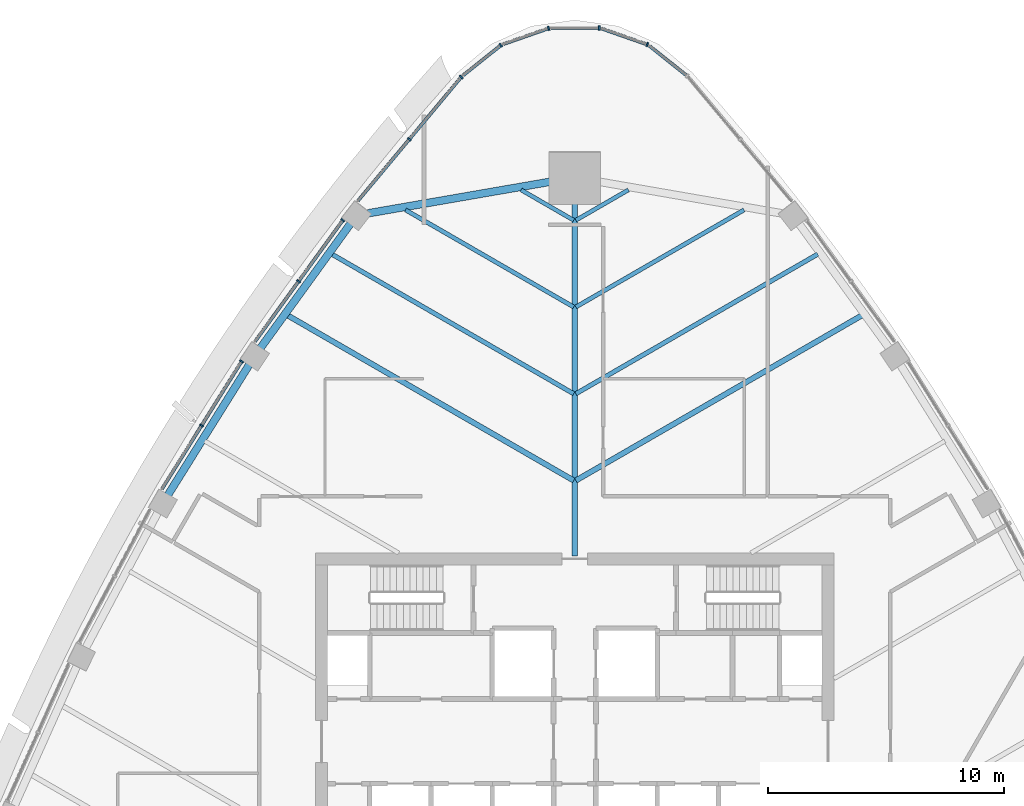
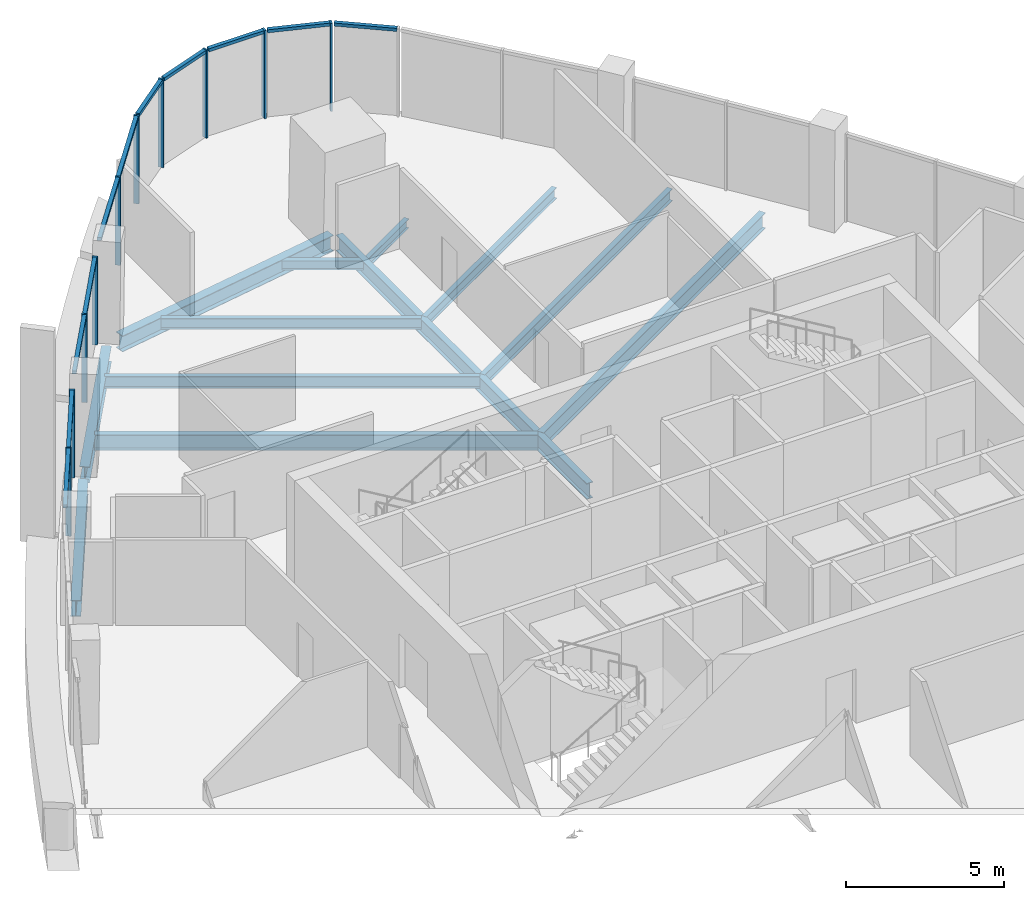
# One storey, part 5 of 18: 21 members, 12 beams, 8 elements without a shape of their own.
"""IFC4 building model written with IfcOpenShell, lengths in metres."""

from ifc_helpers import new_model, si_unit, direction, frame, origin, origin_2d, place, context, subcontext, project, spatial, rectangle, i_section, extrude, material, layer, layer_set, material_profile, profile_set, type_object, element, aggregate, save


model = new_model("IFC4")

# Units and contexts
model_context = context("Model", 3, precision=1e-05, world=origin(), true_north=direction((0.0, 1.0)))
body_context = subcontext(model_context, "Body", "Model", "MODEL_VIEW")
ifc_project = project(units=[si_unit("LENGTHUNIT", "METRE"), si_unit("AREAUNIT", "SQUARE_METRE"), si_unit("VOLUMEUNIT", "CUBIC_METRE"), si_unit("PLANEANGLEUNIT", "RADIAN"), si_unit("MASSUNIT", "GRAM", prefix="KILO")], contexts=[model_context])

# Site, building, storey
site_placement = place(None, origin())
site = spatial("IfcSite", under=ifc_project, at=site_placement, CompositionType="ELEMENT")
building_placement = place(site_placement, origin())
building = spatial("IfcBuilding", under=site, at=building_placement, Name="Sierra Prisma Convention Tower", CompositionType="ELEMENT")
storey_placement = place(building_placement, frame((0.0, 0.0, 287.0)))
storey = spatial("IfcBuildingStorey", under=building, at=storey_placement, Name="L65", CompositionType="ELEMENT", Elevation=287.0)

# Curtain wall, member
ifc_material_1 = material(Name="Aluminium and glass curtain wall", Category="aluminium")
ifc_layer = layer(ifc_material_1, 0.179931640625)
ifc_layer_set = layer_set([ifc_layer], Name="CW-1 Plain shaft curtain wall")
curtain_wall_type = type_object("IfcCurtainWallType", Name="CW-1 Plain shaft curtain wall", PredefinedType="NOTDEFINED", material=ifc_layer_set)
curtain_wall_1_placement = place(storey_placement, origin())
curtain_wall_1 = element("IfcCurtainWall", 1, at=curtain_wall_1_placement, inside=storey, type_object=curtain_wall_type, Name="CW-1 N2 L65", PredefinedType="NOTDEFINED")
ifc_material_2 = material(Name="Aluminium 6063-T6 bronze anodised", Category="aluminium")
ifc_material_profile_1 = material_profile(ifc_material_2, rectangle(XDim=0.179931640625, YDim=0.070068359375, at=origin_2d()), Name="ALU MULLION 70x180")
ifc_profile_set_1 = profile_set([ifc_material_profile_1], Name="Aluminium 6063-T6 bronze anodised")
member_type_1 = type_object("IfcMemberType", Name="CW mullion bronze", PredefinedType="MULLION", material=ifc_profile_set_1)
member_1_placement = place(storey_placement, frame((3.077880859375, 29.586181640625, 0.0), z_axis=(0.0, 0.0, 1.0), x_axis=(-0.330031707067, -0.943969847151, 0.0)))
member_1 = element("IfcMember", 2, at=member_1_placement, type_object=member_type_1, Name="CW-1 mullion N2.1", PredefinedType="MULLION", context=body_context, shape_type="SweptSolid", body=[
    extrude(rectangle(XDim=0.179931640625, YDim=0.070068359375, at=origin_2d()), origin(), (0.0, 0.0, 1.0), 3.39990234375),
])

curtain_wall_2_placement = place(storey_placement, origin())
curtain_wall_2 = element("IfcCurtainWall", 3, at=curtain_wall_2_placement, inside=storey, type_object=curtain_wall_type, Name="CW-1 N3 L65", PredefinedType="NOTDEFINED")
member_2_placement = place(storey_placement, frame((1.042236328125, 30.28564453125, 0.0), z_axis=(0.0, 0.0, 1.0), x_axis=(0.0, -1.0, 0.0)))
member_2 = element("IfcMember", 4, at=member_2_placement, type_object=member_type_1, Name="CW-1 mullion N3.1", PredefinedType="MULLION", context=body_context, shape_type="SweptSolid", body=[
    extrude(rectangle(XDim=0.179931640625, YDim=0.070068359375, at=origin_2d()), origin(), (0.0, 0.0, 1.0), 3.39990234375),
])

curtain_wall_3_placement = place(storey_placement, origin())
curtain_wall_3 = element("IfcCurtainWall", 5, at=curtain_wall_3_placement, inside=storey, type_object=curtain_wall_type, Name="CW-1 N4 L65", PredefinedType="NOTDEFINED")
member_3_placement = place(storey_placement, frame((-1.1103515625, 30.27392578125, 0.0), z_axis=(0.0, 0.0, 1.0), x_axis=(0.330031707067, -0.943969847151, 0.0)))
member_3 = element("IfcMember", 6, at=member_3_placement, type_object=member_type_1, Name="CW-1 mullion N4.1", PredefinedType="MULLION", context=body_context, shape_type="SweptSolid", body=[
    extrude(rectangle(XDim=0.179931640625, YDim=0.070068359375, at=origin_2d()), origin(), (0.0, 0.0, 1.0), 3.39990234375),
])

curtain_wall_4_placement = place(storey_placement, origin())
curtain_wall_4 = element("IfcCurtainWall", 7, at=curtain_wall_4_placement, inside=storey, type_object=curtain_wall_type, Name="CW-1 N5 L65", PredefinedType="NOTDEFINED")
member_4_placement = place(storey_placement, frame((-3.13818359375, 29.552734375, 0.0), z_axis=(0.0, 0.0, 1.0), x_axis=(0.62307996015, -0.782158144661, 0.0)))
member_4 = element("IfcMember", 8, at=member_4_placement, type_object=member_type_1, Name="CW-1 mullion N5.1", PredefinedType="MULLION", context=body_context, shape_type="SweptSolid", body=[
    extrude(rectangle(XDim=0.179931640625, YDim=0.070068359375, at=origin_2d()), origin(), (0.0, 0.0, 1.0), 3.39990234375),
])

# Curtain wall, members
curtain_wall_5_placement = place(storey_placement, origin())
curtain_wall_5 = element("IfcCurtainWall", 9, at=curtain_wall_5_placement, inside=storey, type_object=curtain_wall_type, Name="CW-1 NW1 L65", PredefinedType="NOTDEFINED")
member_5_placement = place(storey_placement, frame((-4.818359375, 28.205322265625, 0.0), z_axis=(0.0, 0.0, 1.0), x_axis=(0.767694339749, -0.640816198857, 0.0)))
member_5 = element("IfcMember", 10, at=member_5_placement, type_object=member_type_1, Name="CW-1 mullion NW1.1", PredefinedType="MULLION", context=body_context, shape_type="SweptSolid", body=[
    extrude(rectangle(XDim=0.179931640625, YDim=0.070068359375, at=origin_2d()), origin(), (0.0, 0.0, 1.0), 3.39990234375),
])
member_6_placement = place(storey_placement, frame((-7.023193359375, 25.56396484375, 0.0), z_axis=(0.0, 0.0, 1.0), x_axis=(0.767694339749, -0.640816198857, 0.0)))
member_6 = element("IfcMember", 11, at=member_6_placement, type_object=member_type_1, Name="CW-1 mullion NW1.2", PredefinedType="MULLION", context=body_context, shape_type="SweptSolid", body=[
    extrude(rectangle(XDim=0.179931640625, YDim=0.070068359375, at=origin_2d()), origin(), (0.0, 0.0, 1.0), 3.39990234375),
])

curtain_wall_6_placement = place(storey_placement, origin())
curtain_wall_6 = element("IfcCurtainWall", 12, at=curtain_wall_6_placement, inside=storey, type_object=curtain_wall_type, Name="CW-1 NW2 L65", PredefinedType="NOTDEFINED")
member_7_placement = place(storey_placement, frame((-9.84912109375, 22.121826171875, 0.0), z_axis=(0.0, 0.0, 1.0), x_axis=(0.80992265193, -0.586536697821, 0.0)))
member_7 = element("IfcMember", 13, at=member_7_placement, type_object=member_type_1, Name="CW-1 mullion NW2.1", PredefinedType="MULLION", context=body_context, shape_type="SweptSolid", body=[
    extrude(rectangle(XDim=0.179931640625, YDim=0.070068359375, at=origin_2d()), origin(), (0.0, 0.0, 1.0), 3.39990234375),
])
member_8_placement = place(storey_placement, frame((-11.722412109375, 19.534912109375, 0.0), z_axis=(0.0, 0.0, 1.0), x_axis=(0.80992265193, -0.586536697821, 0.0)))
member_8 = element("IfcMember", 14, at=member_8_placement, type_object=member_type_1, Name="CW-1 mullion NW2.2", PredefinedType="MULLION", context=body_context, shape_type="SweptSolid", body=[
    extrude(rectangle(XDim=0.179931640625, YDim=0.070068359375, at=origin_2d()), origin(), (0.0, 0.0, 1.0), 3.39990234375),
])

curtain_wall_7_placement = place(storey_placement, origin())
curtain_wall_7 = element("IfcCurtainWall", 15, at=curtain_wall_7_placement, inside=storey, type_object=curtain_wall_type, Name="CW-1 NW3 L65", PredefinedType="NOTDEFINED")
member_9_placement = place(storey_placement, frame((-14.1435546875, 16.133544921875, 0.0), z_axis=(0.0, 0.0, 1.0), x_axis=(0.848320439317, -0.52948317465, 0.0)))
member_9 = element("IfcMember", 16, at=member_9_placement, type_object=member_type_1, Name="CW-1 mullion NW3.1", PredefinedType="MULLION", context=body_context, shape_type="SweptSolid", body=[
    extrude(rectangle(XDim=0.179931640625, YDim=0.070068359375, at=origin_2d()), origin(), (0.0, 0.0, 1.0), 3.39990234375),
])
member_10_placement = place(storey_placement, frame((-15.843017578125, 13.41064453125, 0.0), z_axis=(0.0, 0.0, 1.0), x_axis=(0.848320439317, -0.52948317465, 0.0)))
member_10 = element("IfcMember", 17, at=member_10_placement, type_object=member_type_1, Name="CW-1 mullion NW3.2", PredefinedType="MULLION", context=body_context, shape_type="SweptSolid", body=[
    extrude(rectangle(XDim=0.179931640625, YDim=0.070068359375, at=origin_2d()), origin(), (0.0, 0.0, 1.0), 3.39990234375),
])

# Curtain wall, member
curtain_wall_8_placement = place(storey_placement, origin())
curtain_wall_8 = element("IfcCurtainWall", 18, at=curtain_wall_8_placement, inside=storey, type_object=curtain_wall_type, Name="CW-1 N1 L65", PredefinedType="NOTDEFINED")
ifc_material_3 = material(Name="Aluminium 6063-T6 bronze anodised", Category="aluminium")
ifc_material_profile_2 = material_profile(ifc_material_3, rectangle(XDim=0.139892578125, YDim=0.1201171875, at=origin_2d()), Name="ALU TRANSOM 120x140")
ifc_profile_set_2 = profile_set([ifc_material_profile_2], Name="Aluminium 6063-T6 bronze anodised")
member_type_2 = type_object("IfcMemberType", Name="CW transom bronze", PredefinedType="USERDEFINED", material=ifc_profile_set_2)
member_11_placement = place(storey_placement, frame((4.7412109375, 28.27587890625, 3.340087890625), z_axis=(-0.782179517461, 0.623053129728, 0.0), x_axis=(-0.623053129728, -0.782179517461, 0.0)))
member_11 = element("IfcMember", 19, at=member_11_placement, type_object=member_type_2, Name="CW-1 transom N1.1", ObjectType="TRANSOM", PredefinedType="USERDEFINED", context=body_context, shape_type="SweptSolid", body=[
    extrude(rectangle(XDim=0.139892578125, YDim=0.1201171875, at=origin_2d()), origin(), (0.0, 0.0, 1.0), 2.014404296875),
])
aggregate(curtain_wall_8, [member_11])

# Member
member_12_placement = place(storey_placement, frame((3.044677734375, 29.59765625, 3.340087890625), z_axis=(-0.943964128311, 0.330048063866, 0.0), x_axis=(-0.330048063866, -0.943964128311, 0.0)))
member_12 = element("IfcMember", 20, at=member_12_placement, type_object=member_type_2, Name="CW-1 transom N2.1", ObjectType="TRANSOM", PredefinedType="USERDEFINED", context=body_context, shape_type="SweptSolid", body=[
    extrude(rectangle(XDim=0.139892578125, YDim=0.1201171875, at=origin_2d()), origin(), (0.0, 0.0, 1.0), 2.01416015625),
])

aggregate(curtain_wall_1, [member_1, member_12])

member_13_placement = place(storey_placement, frame((1.007080078125, 30.28564453125, 3.340087890625), z_axis=(-1.0, 0.0, 0.0), x_axis=(0.0, -1.0, 0.0)))
member_13 = element("IfcMember", 21, at=member_13_placement, type_object=member_type_2, Name="CW-1 transom N3.1", ObjectType="TRANSOM", PredefinedType="USERDEFINED", context=body_context, shape_type="SweptSolid", body=[
    extrude(rectangle(XDim=0.139892578125, YDim=0.1201171875, at=origin_2d()), origin(), (0.0, 0.0, 1.0), 2.01416015625),
])

aggregate(curtain_wall_2, [member_2, member_13])

member_14_placement = place(storey_placement, frame((-1.143310546875, 30.262451171875, 3.340087890625), z_axis=(-0.943964128311, -0.330048063866, 0.0), x_axis=(0.330048063866, -0.943964128311, 0.0)))
member_14 = element("IfcMember", 22, at=member_14_placement, type_object=member_type_2, Name="CW-1 transom N4.1", ObjectType="TRANSOM", PredefinedType="USERDEFINED", context=body_context, shape_type="SweptSolid", body=[
    extrude(rectangle(XDim=0.139892578125, YDim=0.1201171875, at=origin_2d()), origin(), (0.0, 0.0, 1.0), 2.01416015625),
])

aggregate(curtain_wall_3, [member_3, member_14])

member_15_placement = place(storey_placement, frame((-3.16552734375, 29.531005859375, 3.340087890625), z_axis=(-0.782179517461, -0.623053129728, 0.0), x_axis=(0.623053129728, -0.782179517461, 0.0)))
member_15 = element("IfcMember", 23, at=member_15_placement, type_object=member_type_2, Name="CW-1 transom N5.1", ObjectType="TRANSOM", PredefinedType="USERDEFINED", context=body_context, shape_type="SweptSolid", body=[
    extrude(rectangle(XDim=0.139892578125, YDim=0.1201171875, at=origin_2d()), origin(), (0.0, 0.0, 1.0), 2.014404296875),
])

aggregate(curtain_wall_4, [member_4, member_15])

member_16_placement = place(storey_placement, frame((-4.8408203125, 28.178466796875, 3.340087890625), z_axis=(-0.640804017401, -0.767704507791, 0.0), x_axis=(0.767704507791, -0.640804017401, 0.0)))
member_16 = element("IfcMember", 24, at=member_16_placement, type_object=member_type_2, Name="CW-1 transom NW1.1", ObjectType="TRANSOM", PredefinedType="USERDEFINED", context=body_context, shape_type="SweptSolid", body=[
    extrude(rectangle(XDim=0.139892578125, YDim=0.1201171875, at=origin_2d()), origin(), (0.0, 0.0, 1.0), 3.37060546875),
])

member_17_placement = place(storey_placement, frame((-7.045654296875, 25.537109375, 3.340087890625), z_axis=(-0.640811073109, -0.767698618327, 0.0), x_axis=(0.767698618327, -0.640811073109, 0.0)))
member_17 = element("IfcMember", 25, at=member_17_placement, type_object=member_type_2, Name="CW-1 transom NW1.2", ObjectType="TRANSOM", PredefinedType="USERDEFINED", context=body_context, shape_type="SweptSolid", body=[
    extrude(rectangle(XDim=0.139892578125, YDim=0.1201171875, at=origin_2d()), origin(), (0.0, 0.0, 1.0), 3.37109375),
])

aggregate(curtain_wall_5, [member_5, member_6, member_16, member_17])

member_18_placement = place(storey_placement, frame((-9.86962890625, 22.093505859375, 3.340087890625), z_axis=(-0.586511579962, -0.809940841402, 0.0), x_axis=(0.809940841402, -0.586511579962, 0.0)))
member_18 = element("IfcMember", 26, at=member_18_placement, type_object=member_type_2, Name="CW-1 transom NW2.1", ObjectType="TRANSOM", PredefinedType="USERDEFINED", context=body_context, shape_type="SweptSolid", body=[
    extrude(rectangle(XDim=0.139892578125, YDim=0.1201171875, at=origin_2d()), origin(), (0.0, 0.0, 1.0), 3.1240234375),
])

member_19_placement = place(storey_placement, frame((-11.742919921875, 19.506591796875, 3.340087890625), z_axis=(-0.586548705783, -0.809913955766, 0.0), x_axis=(0.809913955766, -0.586548705783, 0.0)))
member_19 = element("IfcMember", 27, at=member_19_placement, type_object=member_type_2, Name="CW-1 transom NW2.2", ObjectType="TRANSOM", PredefinedType="USERDEFINED", context=body_context, shape_type="SweptSolid", body=[
    extrude(rectangle(XDim=0.139892578125, YDim=0.1201171875, at=origin_2d()), origin(), (0.0, 0.0, 1.0), 3.123779296875),
])

aggregate(curtain_wall_6, [member_7, member_8, member_18, member_19])

member_20_placement = place(storey_placement, frame((-14.162109375, 16.10400390625, 3.340087890625), z_axis=(-0.529453651375, -0.848338865693, 0.0), x_axis=(0.848338865693, -0.529453651375, 0.0)))
member_20 = element("IfcMember", 28, at=member_20_placement, type_object=member_type_2, Name="CW-1 transom NW3.1", ObjectType="TRANSOM", PredefinedType="USERDEFINED", context=body_context, shape_type="SweptSolid", body=[
    extrude(rectangle(XDim=0.139892578125, YDim=0.1201171875, at=origin_2d()), origin(), (0.0, 0.0, 1.0), 3.1396484375),
])

member_21_placement = place(storey_placement, frame((-15.861572265625, 13.381103515625, 3.340087890625), z_axis=(-0.529453651375, -0.848338865693, 0.0), x_axis=(0.848338865693, -0.529453651375, 0.0)))
member_21 = element("IfcMember", 29, at=member_21_placement, type_object=member_type_2, Name="CW-1 transom NW3.2", ObjectType="TRANSOM", PredefinedType="USERDEFINED", context=body_context, shape_type="SweptSolid", body=[
    extrude(rectangle(XDim=0.139892578125, YDim=0.1201171875, at=origin_2d()), origin(), (0.0, 0.0, 1.0), 3.1396484375),
])

aggregate(curtain_wall_7, [member_9, member_10, member_20, member_21])

# Beams
ifc_material_4 = material(Name="Steel ASTM A992 Gr 50", Category="steel")
ifc_material_profile_3 = material_profile(ifc_material_4, i_section(OverallWidth=0.172119140625, OverallDepth=0.35791015625, WebThickness=0.0078125, FlangeThickness=0.01318359375, at=origin_2d()), Name="W360x57")
ifc_profile_set_3 = profile_set([ifc_material_profile_3], Name="Steel ASTM A992 Gr 50")
beam_type_1 = type_object("IfcBeamType", Name="Floor joist W360x57", PredefinedType="JOIST", material=ifc_profile_set_3)
for number, where, z_axis, x_axis, name in (
    (30, (2.27685546875, 23.41357421875, -0.3291015625), (-0.866059331216, -0.49994123136, 0.0), (0.49994123136, -0.866059331216, 0.0), "Floor joist L65 NE13"),
    (31, (-2.27685546875, 23.41357421875, -0.3291015625), (0.866059331216, -0.49994123136, 0.0), (0.49994123136, 0.866059331216, 0.0), "Floor joist L65 NW01"),
):
    element("IfcBeam", number, at=place(storey_placement, frame(where, z_axis=z_axis, x_axis=x_axis)), inside=storey, type_object=beam_type_1, Name=name, PredefinedType="JOIST", context=body_context, shape_type="SweptSolid", body=[
        extrude(i_section(OverallWidth=0.172119140625, OverallDepth=0.35791015625, WebThickness=0.0078125, FlangeThickness=0.01318359375, at=origin_2d()), origin(), (0.0, 0.0, 1.0), 2.575927734375),
    ])
ifc_material_5 = material(Name="Steel ASTM A992 Gr 50", Category="steel")
ifc_material_profile_4 = material_profile(ifc_material_5, i_section(OverallWidth=0.177978515625, OverallDepth=0.406982421875, WebThickness=0.0078125, FlangeThickness=0.0126953125, at=origin_2d()), Name="W410x60")
ifc_profile_set_4 = profile_set([ifc_material_profile_4], Name="Steel ASTM A992 Gr 50")
beam_type_2 = type_object("IfcBeamType", Name="Floor joist W410x60", PredefinedType="JOIST", material=ifc_profile_set_4)
for number, where, z_axis, x_axis, name in (
    (32, (7.183349609375, 22.563232421875, -0.353515625), (-0.866023288848, -0.500003663159, 0.0), (0.500003663159, -0.866023288848, 0.0), "Floor joist L65 NE12"),
    (33, (-7.183349609375, 22.563232421875, -0.353515625), (0.866023288848, -0.500003663159, 0.0), (0.500003663159, 0.866023288848, 0.0), "Floor joist L65 NW02"),
):
    element("IfcBeam", number, at=place(storey_placement, frame(where, z_axis=z_axis, x_axis=x_axis)), inside=storey, type_object=beam_type_2, Name=name, PredefinedType="JOIST", context=body_context, shape_type="SweptSolid", body=[
        extrude(i_section(OverallWidth=0.177978515625, OverallDepth=0.406982421875, WebThickness=0.0078125, FlangeThickness=0.0126953125, at=origin_2d()), origin(), (0.0, 0.0, 1.0), 8.24169921875),
    ])
ifc_material_6 = material(Name="Steel ASTM A992 Gr 50", Category="steel")
ifc_material_profile_5 = material_profile(ifc_material_6, i_section(OverallWidth=0.18994140625, OverallDepth=0.45703125, WebThickness=0.009033203125, FlangeThickness=0.014404296875, at=origin_2d()), Name="W460x74")
ifc_profile_set_5 = profile_set([ifc_material_profile_5], Name="Steel ASTM A992 Gr 50")
beam_type_3 = type_object("IfcBeamType", Name="Floor joist W460x74", PredefinedType="JOIST", material=ifc_profile_set_5)
for number, where, z_axis, x_axis, name in (
    (34, (10.31591796875, 20.6884765625, -0.37841796875), (-0.866032681814, -0.49998739387, 0.0), (0.49998739387, -0.866032681814, 0.0), "Floor joist L65 NE11"),
    (35, (-10.31591796875, 20.6884765625, -0.37841796875), (0.866032681814, -0.49998739387, 0.0), (0.49998739387, 0.866032681814, 0.0), "Floor joist L65 NW03"),
):
    element("IfcBeam", number, at=place(storey_placement, frame(where, z_axis=z_axis, x_axis=x_axis)), inside=storey, type_object=beam_type_3, Name=name, PredefinedType="JOIST", context=body_context, shape_type="SweptSolid", body=[
        extrude(i_section(OverallWidth=0.18994140625, OverallDepth=0.45703125, WebThickness=0.009033203125, FlangeThickness=0.014404296875, at=origin_2d()), origin(), (0.0, 0.0, 1.0), 11.858642578125),
    ])
ifc_material_7 = material(Name="Steel ASTM A992 Gr 50", Category="steel")
ifc_material_profile_6 = material_profile(ifc_material_7, i_section(OverallWidth=0.22802734375, OverallDepth=0.60302734375, WebThickness=0.010498046875, FlangeThickness=0.014892578125, at=origin_2d()), Name="W610x101")
ifc_profile_set_6 = profile_set([ifc_material_profile_6], Name="Steel ASTM A992 Gr 50")
beam_type_4 = type_object("IfcBeamType", Name="Floor joist W610x101", PredefinedType="JOIST", material=ifc_profile_set_6)
for number, where, z_axis, x_axis, name in (
    (36, (12.19677734375, 18.09130859375, -0.451416015625), (-0.866030850554, -0.499990565799, 0.0), (0.499990565799, -0.866030850554, 0.0), "Floor joist L65 NE10"),
    (37, (-12.19677734375, 18.09130859375, -0.451416015625), (0.866030850554, -0.499990565799, 0.0), (0.499990565799, 0.866030850554, 0.0), "Floor joist L65 NW04"),
):
    element("IfcBeam", number, at=place(storey_placement, frame(where, z_axis=z_axis, x_axis=x_axis)), inside=storey, type_object=beam_type_4, Name=name, PredefinedType="JOIST", context=body_context, shape_type="SweptSolid", body=[
        extrude(i_section(OverallWidth=0.22802734375, OverallDepth=0.60302734375, WebThickness=0.010498046875, FlangeThickness=0.014892578125, at=origin_2d()), origin(), (0.0, 0.0, 1.0), 14.030517578125),
    ])
ifc_material_8 = material(Name="Steel ASTM A992 Gr 50", Category="steel")
ifc_material_profile_7 = material_profile(ifc_material_8, i_section(OverallWidth=0.22998046875, OverallDepth=0.616943359375, WebThickness=0.01318359375, FlangeThickness=0.022216796875, at=origin_2d()), Name="W610x140")
ifc_profile_set_7 = profile_set([ifc_material_profile_7], Name="Steel ASTM A992 Gr 50")
beam_type_5 = type_object("IfcBeamType", Name="Radial girder W610x140", PredefinedType="BEAM", material=ifc_profile_set_7)
beam_1_placement = place(storey_placement, frame((0.0, 23.720703125, -0.45849609375), z_axis=(0.0, -1.0, 0.0), x_axis=(1.0, 0.0, 0.0)))
element("IfcBeam", 38, at=beam_1_placement, inside=storey, type_object=beam_type_5, Name="Radial girder L65 N", PredefinedType="BEAM", context=body_context, shape_type="SweptSolid", body=[
    extrude(i_section(OverallWidth=0.22998046875, OverallDepth=0.616943359375, WebThickness=0.01318359375, FlangeThickness=0.022216796875, at=origin_2d()), origin(), (0.0, 0.0, 1.0), 15.8408203125),
])
ifc_material_9 = material(Name="Steel ASTM A992 Gr 50", Category="steel")
ifc_material_profile_8 = material_profile(ifc_material_9, i_section(OverallWidth=0.324951171875, OverallDepth=0.615966796875, WebThickness=0.013916015625, FlangeThickness=0.021484375, at=origin_2d()), Name="W610x174")
ifc_profile_set_8 = profile_set([ifc_material_profile_8], Name="Steel ASTM A992 Gr 50")
beam_type_6 = type_object("IfcBeamType", Name="Spandrel beam W610x174", PredefinedType="BEAM", material=ifc_profile_set_8)
beam_2_placement = place(storey_placement, frame((-0.219970703125, 23.902587890625, -0.4580078125), z_axis=(-0.985305435596, -0.170801635194, 0.0), x_axis=(0.170801635194, -0.985305435596, 0.0)))
element("IfcBeam", 39, at=beam_2_placement, inside=storey, type_object=beam_type_6, Name="Spandrel L65-13", PredefinedType="BEAM", context=body_context, shape_type="SweptSolid", body=[
    extrude(i_section(OverallWidth=0.324951171875, OverallDepth=0.615966796875, WebThickness=0.013916015625, FlangeThickness=0.021484375, at=origin_2d()), origin(), (0.0, 0.0, 1.0), 8.689208984375),
])
for number, where, z_axis, x_axis, name in (
    (40, (-9.456298828125, 22.067626953125, -0.4580078125), (-0.586558320228, -0.80990699279, 0.0), (0.80990699279, -0.586558320228, 0.0), "Spandrel L65-14"),
    (41, (-13.764892578125, 16.079833984375, -0.4580078125), (-0.529463026019, -0.848333014847, 0.0), (0.848333014847, -0.529463026019, 0.0), "Spandrel L65-15"),
):
    element("IfcBeam", number, at=place(storey_placement, frame(where, z_axis=z_axis, x_axis=x_axis)), inside=storey, type_object=beam_type_6, Name=name, PredefinedType="BEAM", context=body_context, shape_type="SweptSolid", body=[
        extrude(i_section(OverallWidth=0.324951171875, OverallDepth=0.615966796875, WebThickness=0.013916015625, FlangeThickness=0.021484375, at=origin_2d()), origin(), (0.0, 0.0, 1.0), 6.717041015625),
    ])

save(model, "model.ifc")
